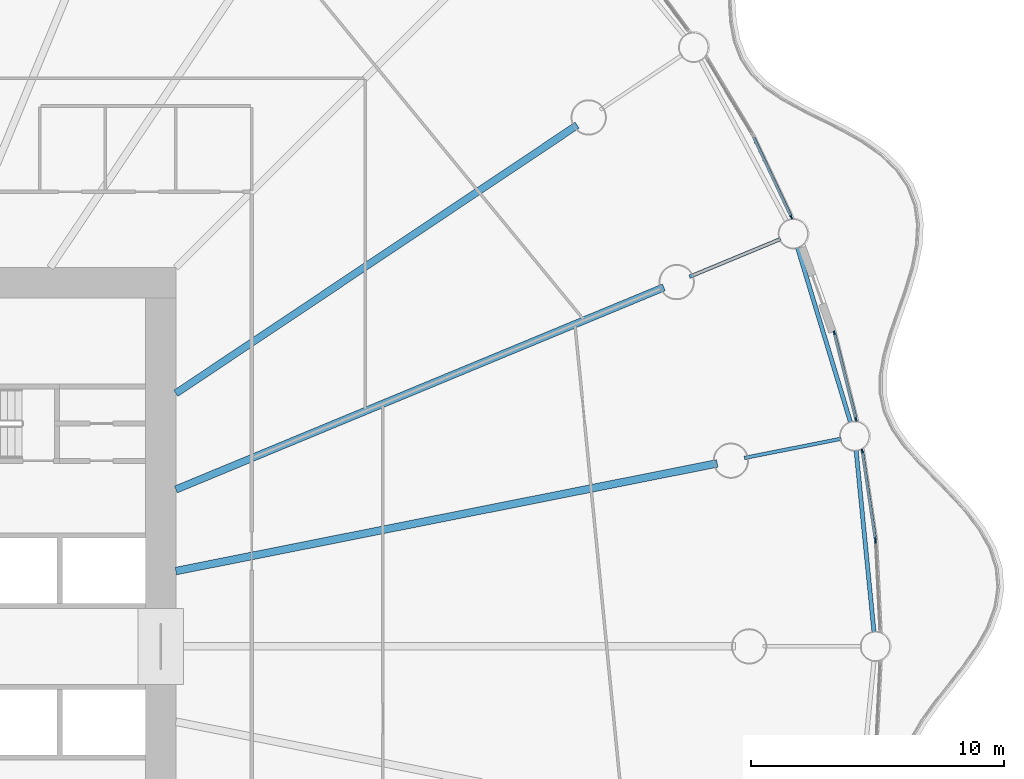
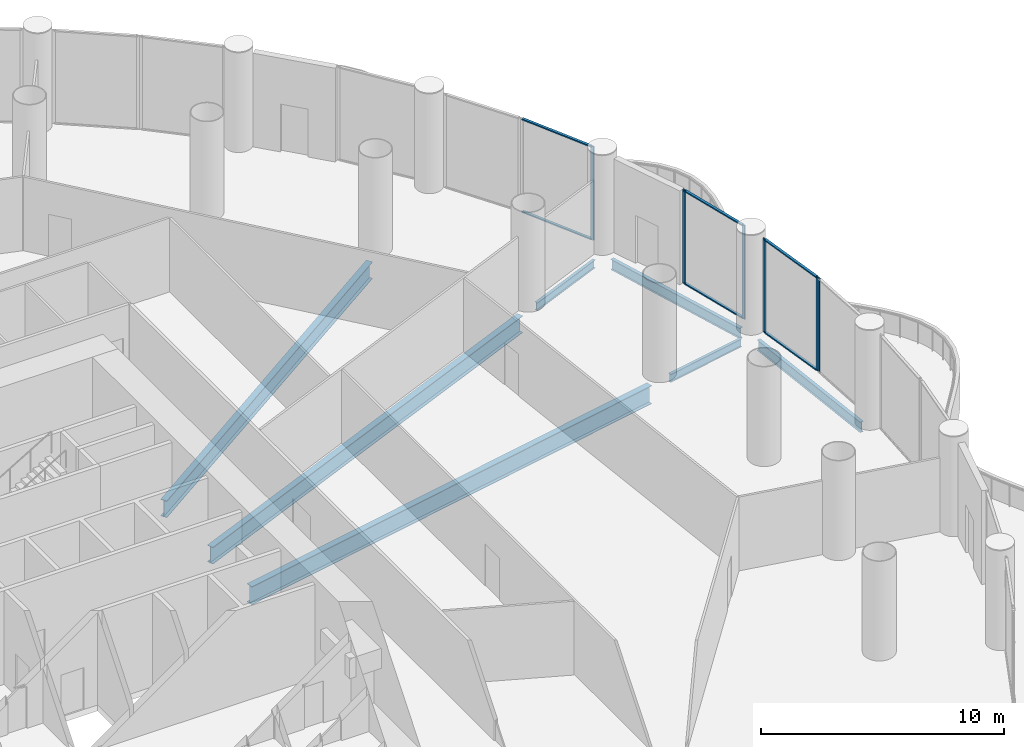
# One storey, part 13 of 38: 12 members, 7 beams, 4 elements without a shape of their own.
"""IFC4 building model written with IfcOpenShell, lengths in metres."""

from ifc_helpers import new_model, si_unit, direction, frame, origin, origin_2d, place, context, subcontext, project, spatial, rectangle, i_section, extrude, material, material_profile, profile_set, type_object, element, aggregate, save


model = new_model("IFC4")

# Units and contexts
model_context = context("Model", 3, precision=1e-05, world=origin(), true_north=direction((0.0, 1.0)))
body_context = subcontext(model_context, "Body", "Model", "MODEL_VIEW")
ifc_project = project(units=[si_unit("LENGTHUNIT", "METRE"), si_unit("AREAUNIT", "SQUARE_METRE"), si_unit("VOLUMEUNIT", "CUBIC_METRE"), si_unit("PLANEANGLEUNIT", "RADIAN"), si_unit("MASSUNIT", "GRAM", prefix="KILO")], contexts=[model_context])

# Site, building, storey
site_placement = place(None, origin())
site = spatial("IfcSite", under=ifc_project, at=site_placement, CompositionType="ELEMENT")
building_placement = place(site_placement, origin())
building = spatial("IfcBuilding", under=site, at=building_placement, Name="Corvane Civic Tower", CompositionType="ELEMENT")
storey_placement = place(building_placement, frame((0.0, 0.0, 32.0)))
storey = spatial("IfcBuildingStorey", under=building, at=storey_placement, Name="L06", CompositionType="ELEMENT", Elevation=32.0)

# Beams
ifc_material_1 = material(Name="Steel ASTM A992 Gr 50", Category="steel")
ifc_material_profile_1 = material_profile(ifc_material_1, i_section(OverallWidth=0.165771484375, OverallDepth=0.5283203125, WebThickness=0.009765625, FlangeThickness=0.013671875, at=origin_2d()), Name="W21X50")
ifc_profile_set_1 = profile_set([ifc_material_profile_1], Name="Steel ASTM A992 Gr 50")
beam_type_1 = type_object("IfcBeamType", Name="EDGE BEAM W21X50", PredefinedType="BEAM", material=ifc_profile_set_1)
for number, where, z_axis, x_axis, name in (
    (1, (39.609375, 15.814208984375, -0.564208984375), (0.290291633127, -0.956938225664, 0.0), (0.956938225664, 0.290291633127, 0.0), "BM-L06-E07"),
    (2, (41.93359375, 7.782958984375, -0.564208984375), (0.097984225478, -0.995187967953, 0.0), (0.995187967953, 0.097984225478, 0.0), "BM-L06-E08"),
):
    element("IfcBeam", number, at=place(storey_placement, frame(where, z_axis=z_axis, x_axis=x_axis)), inside=storey, type_object=beam_type_1, Name=name, PredefinedType="BEAM", context=body_context, shape_type="SweptSolid", body=[
        extrude(i_section(OverallWidth=0.165771484375, OverallDepth=0.5283203125, WebThickness=0.009765625, FlangeThickness=0.013671875, at=origin_2d()), origin(), (0.0, 0.0, 1.0), 7.2705078125),
    ])
ifc_material_2 = material(Name="Steel ASTM A992 Gr 50", Category="steel")
ifc_material_profile_2 = material_profile(ifc_material_2, i_section(OverallWidth=0.140380859375, OverallDepth=0.40380859375, WebThickness=0.007080078125, FlangeThickness=0.01123046875, at=origin_2d()), Name="W16X31")
ifc_profile_set_2 = profile_set([ifc_material_profile_2], Name="Steel ASTM A992 Gr 50")
beam_type_2 = type_object("IfcBeamType", Name="FLOOR GIRDER W16X31", PredefinedType="BEAM", material=ifc_profile_set_2)
for number, where, z_axis, x_axis, name in (
    (3, (35.33837890625, 14.6376953125, -0.501953125), (0.923878730261, 0.382685369162, 0.0), (-0.382685369162, 0.923878730261, 0.0), "BM-L06-G07b"),
    (4, (37.51513671875, 7.462158203125, -0.501953125), (0.980777614264, 0.195128858343, 0.0), (-0.195128858343, 0.980777614264, 0.0), "BM-L06-G08b"),
):
    element("IfcBeam", number, at=place(storey_placement, frame(where, z_axis=z_axis, x_axis=x_axis)), inside=storey, type_object=beam_type_2, Name=name, PredefinedType="BEAM", context=body_context, shape_type="SweptSolid", body=[
        extrude(i_section(OverallWidth=0.140380859375, OverallDepth=0.40380859375, WebThickness=0.007080078125, FlangeThickness=0.01123046875, at=origin_2d()), origin(), (0.0, 0.0, 1.0), 3.89990234375),
    ])
ifc_material_3 = material(Name="Steel ASTM A992 Gr 50", Category="steel")
ifc_material_profile_3 = material_profile(ifc_material_3, i_section(OverallWidth=0.2919921875, OverallDepth=0.845703125, WebThickness=0.015380859375, FlangeThickness=0.0244140625, at=origin_2d()), Name="W33X141")
ifc_profile_set_3 = profile_set([ifc_material_profile_3], Name="Steel ASTM A992 Gr 50")
beam_type_3 = type_object("IfcBeamType", Name="FLOOR GIRDER W33X141", PredefinedType="BEAM", material=ifc_profile_set_3)
beam_1_placement = place(storey_placement, frame((15.0, 10.022705078125, -0.722900390625), z_axis=(0.831471985418, 0.555566681385, 0.0), x_axis=(-0.555566681385, 0.831471985418, 0.0)))
element("IfcBeam", 5, at=beam_1_placement, inside=storey, type_object=beam_type_3, Name="BM-L06-G06", PredefinedType="BEAM", context=body_context, shape_type="SweptSolid", body=[
    extrude(i_section(OverallWidth=0.2919921875, OverallDepth=0.845703125, WebThickness=0.015380859375, FlangeThickness=0.0244140625, at=origin_2d()), origin(), (0.0, 0.0, 1.0), 19.109619140625),
])
beam_2_placement = place(storey_placement, frame((15.0, 6.213134765625, -0.722900390625), z_axis=(0.923875834355, 0.382692360381, 0.0), x_axis=(-0.382692360381, 0.923875834355, 0.0)))
element("IfcBeam", 6, at=beam_2_placement, inside=storey, type_object=beam_type_3, Name="BM-L06-G07", PredefinedType="BEAM", context=body_context, shape_type="SweptSolid", body=[
    extrude(i_section(OverallWidth=0.2919921875, OverallDepth=0.845703125, WebThickness=0.015380859375, FlangeThickness=0.0244140625, at=origin_2d()), origin(), (0.0, 0.0, 1.0), 20.9140625),
])
ifc_material_4 = material(Name="Steel ASTM A992 Gr 50", Category="steel")
ifc_material_profile_4 = material_profile(ifc_material_4, i_section(OverallWidth=0.3046875, OverallDepth=0.911865234375, WebThickness=0.015869140625, FlangeThickness=0.02392578125, at=origin_2d()), Name="W36X150")
ifc_profile_set_4 = profile_set([ifc_material_profile_4], Name="Steel ASTM A992 Gr 50")
beam_type_4 = type_object("IfcBeamType", Name="FLOOR GIRDER W36X150", PredefinedType="BEAM", material=ifc_profile_set_4)
beam_3_placement = place(storey_placement, frame((15.0, 2.983642578125, -0.755859375), z_axis=(0.980785499679, 0.195089219638, 0.0), x_axis=(-0.195089219638, 0.980785499679, 0.0)))
element("IfcBeam", 7, at=beam_3_placement, inside=storey, type_object=beam_type_4, Name="BM-L06-G08", PredefinedType="BEAM", context=body_context, shape_type="SweptSolid", body=[
    extrude(i_section(OverallWidth=0.3046875, OverallDepth=0.911865234375, WebThickness=0.015869140625, FlangeThickness=0.02392578125, at=origin_2d()), origin(), (0.0, 0.0, 1.0), 21.856201171875),
])

# Curtain wall, member
ifc_material_5 = material(Name="Aluminium and glass", Category="aluminium")
curtain_wall_type = type_object("IfcCurtainWallType", Name="PODIUM-CW-P-RUN", PredefinedType="NOTDEFINED", material=ifc_material_5)
curtain_wall_1_placement = place(storey_placement, origin())
curtain_wall_1 = element("IfcCurtainWall", 8, at=curtain_wall_1_placement, inside=storey, type_object=curtain_wall_type, Name="PODI run L06-drum-06B", PredefinedType="NOTDEFINED")
ifc_material_6 = material(Name="Anodised aluminium bronze", Category="aluminium")
ifc_material_profile_5 = material_profile(ifc_material_6, rectangle(XDim=0.06005859375, YDim=0.159912109375, at=origin_2d()), Name="AL 60x160")
ifc_profile_set_5 = profile_set([ifc_material_profile_5], Name="Anodised aluminium bronze")
member_type_1 = type_object("IfcMemberType", Name="PODIUM-CWP-MULLION-60x160", PredefinedType="MULLION", material=ifc_profile_set_5)
member_1_placement = place(storey_placement, frame((39.36767578125, 17.00439453125, 0.0), z_axis=(0.0, 0.0, 1.0), x_axis=(0.903990222454, 0.42755312852, 0.0)))
member_1 = element("IfcMember", 9, at=member_1_placement, type_object=member_type_1, Name="CW-P mullion 2", PredefinedType="MULLION", context=body_context, shape_type="SweptSolid", body=[
    extrude(rectangle(XDim=0.06005859375, YDim=0.159912109375, at=origin_2d()), origin(), (0.0, 0.0, 1.0), 4.699951171875),
])

# Curtain wall, members
curtain_wall_2_placement = place(storey_placement, origin())
curtain_wall_2 = element("IfcCurtainWall", 10, at=curtain_wall_2_placement, inside=storey, type_object=curtain_wall_type, Name="PODI run L06-drum-07B", PredefinedType="NOTDEFINED")
member_2_placement = place(storey_placement, frame((41.0732421875, 12.411865234375, 0.0), z_axis=(0.0, 0.0, 1.0), x_axis=(0.970024070659, 0.243008852393, 0.0)))
member_2 = element("IfcMember", 11, at=member_2_placement, type_object=member_type_1, Name="CW-P mullion 1", PredefinedType="MULLION", context=body_context, shape_type="SweptSolid", body=[
    extrude(rectangle(XDim=0.06005859375, YDim=0.159912109375, at=origin_2d()), origin(), (0.0, 0.0, 1.0), 4.699951171875),
])
member_3_placement = place(storey_placement, frame((41.9287109375, 8.99755859375, 0.0), z_axis=(0.0, 0.0, 1.0), x_axis=(0.970024070659, 0.243008852393, 0.0)))
member_3 = element("IfcMember", 12, at=member_3_placement, type_object=member_type_1, Name="CW-P mullion 2", PredefinedType="MULLION", context=body_context, shape_type="SweptSolid", body=[
    extrude(rectangle(XDim=0.06005859375, YDim=0.159912109375, at=origin_2d()), origin(), (0.0, 0.0, 1.0), 4.699951171875),
])

curtain_wall_3_placement = place(storey_placement, origin())
curtain_wall_3 = element("IfcCurtainWall", 13, at=curtain_wall_3_placement, inside=storey, type_object=curtain_wall_type, Name="PODI run L06-drum-08A", PredefinedType="NOTDEFINED")
member_4_placement = place(storey_placement, frame((42.18017578125, 7.732666015625, 0.0), z_axis=(0.0, 0.0, 1.0), x_axis=(0.989178850608, 0.146714694252, 0.0)))
member_4 = element("IfcMember", 14, at=member_4_placement, type_object=member_type_1, Name="CW-P mullion 1", PredefinedType="MULLION", context=body_context, shape_type="SweptSolid", body=[
    extrude(rectangle(XDim=0.06005859375, YDim=0.159912109375, at=origin_2d()), origin(), (0.0, 0.0, 1.0), 4.699951171875),
])
member_5_placement = place(storey_placement, frame((42.696533203125, 4.2509765625, 0.0), z_axis=(0.0, 0.0, 1.0), x_axis=(0.989178850608, 0.146714694252, 0.0)))
member_5 = element("IfcMember", 15, at=member_5_placement, type_object=member_type_1, Name="CW-P mullion 2", PredefinedType="MULLION", context=body_context, shape_type="SweptSolid", body=[
    extrude(rectangle(XDim=0.06005859375, YDim=0.159912109375, at=origin_2d()), origin(), (0.0, 0.0, 1.0), 4.699951171875),
])

# Curtain wall, member
curtain_wall_4_placement = place(storey_placement, origin())
curtain_wall_4 = element("IfcCurtainWall", 16, at=curtain_wall_4_placement, inside=storey, type_object=curtain_wall_type, Name="PODI run L06-drum-08B", PredefinedType="NOTDEFINED")
member_6_placement = place(storey_placement, frame((42.70556640625, 4.16064453125, 0.0), z_axis=(0.0, 0.0, 1.0), x_axis=(0.998796316803, 0.04905015332, 0.0)))
member_6 = element("IfcMember", 17, at=member_6_placement, type_object=member_type_1, Name="CW-P mullion 1", PredefinedType="MULLION", context=body_context, shape_type="SweptSolid", body=[
    extrude(rectangle(XDim=0.06005859375, YDim=0.159912109375, at=origin_2d()), origin(), (0.0, 0.0, 1.0), 4.699951171875),
])
aggregate(curtain_wall_4, [member_6])

# Member
ifc_material_7 = material(Name="Anodised aluminium bronze", Category="aluminium")
ifc_material_profile_6 = material_profile(ifc_material_7, rectangle(XDim=0.1201171875, YDim=0.06005859375, at=origin_2d()), Name="AL 120x60")
ifc_profile_set_6 = profile_set([ifc_material_profile_6], Name="Anodised aluminium bronze")
member_type_2 = type_object("IfcMemberType", Name="PODIUM-CWP-TRANSOM-60x120", PredefinedType="USERDEFINED", material=ifc_profile_set_6)
member_7_placement = place(storey_placement, frame((37.87548828125, 20.1591796875, 0.030029296875), z_axis=(0.427546343166, -0.903993431638, 0.0), x_axis=(0.903993431638, 0.427546343166, 0.0)))
member_7 = element("IfcMember", 18, at=member_7_placement, type_object=member_type_2, Name="CW-P transom 1.1", ObjectType="TRANSOM", PredefinedType="USERDEFINED", context=body_context, shape_type="SweptSolid", body=[
    extrude(rectangle(XDim=0.1201171875, YDim=0.06005859375, at=origin_2d()), origin(), (0.0, 0.0, 1.0), 3.4599609375),
])

member_8_placement = place(storey_placement, frame((37.87548828125, 20.1591796875, 4.669921875), z_axis=(0.427546343166, -0.903993431638, 0.0), x_axis=(0.903993431638, 0.427546343166, 0.0)))
member_8 = element("IfcMember", 19, at=member_8_placement, type_object=member_type_2, Name="CW-P transom 1.2", ObjectType="TRANSOM", PredefinedType="USERDEFINED", context=body_context, shape_type="SweptSolid", body=[
    extrude(rectangle(XDim=0.1201171875, YDim=0.06005859375, at=origin_2d()), origin(), (0.0, 0.0, 1.0), 3.4599609375),
])

aggregate(curtain_wall_1, [member_1, member_7, member_8])

member_9_placement = place(storey_placement, frame((41.08056640625, 12.3828125, 0.030029296875), z_axis=(0.243017080124, -0.970022009425, 0.0), x_axis=(0.970022009425, 0.243017080124, 0.0)))
member_9 = element("IfcMember", 20, at=member_9_placement, type_object=member_type_2, Name="CW-P transom 1.1", ObjectType="TRANSOM", PredefinedType="USERDEFINED", context=body_context, shape_type="SweptSolid", body=[
    extrude(rectangle(XDim=0.1201171875, YDim=0.06005859375, at=origin_2d()), origin(), (0.0, 0.0, 1.0), 3.4599609375),
])

member_10_placement = place(storey_placement, frame((41.08056640625, 12.3828125, 4.669921875), z_axis=(0.243017080124, -0.970022009425, 0.0), x_axis=(0.970022009425, 0.243017080124, 0.0)))
member_10 = element("IfcMember", 21, at=member_10_placement, type_object=member_type_2, Name="CW-P transom 1.2", ObjectType="TRANSOM", PredefinedType="USERDEFINED", context=body_context, shape_type="SweptSolid", body=[
    extrude(rectangle(XDim=0.1201171875, YDim=0.06005859375, at=origin_2d()), origin(), (0.0, 0.0, 1.0), 3.4599609375),
])

aggregate(curtain_wall_2, [member_2, member_3, member_9, member_10])

member_11_placement = place(storey_placement, frame((42.1845703125, 7.703125, 0.030029296875), z_axis=(0.146704660039, -0.989180338828, 0.0), x_axis=(0.989180338828, 0.146704660039, 0.0)))
member_11 = element("IfcMember", 22, at=member_11_placement, type_object=member_type_2, Name="CW-P transom 1.1", ObjectType="TRANSOM", PredefinedType="USERDEFINED", context=body_context, shape_type="SweptSolid", body=[
    extrude(rectangle(XDim=0.1201171875, YDim=0.06005859375, at=origin_2d()), origin(), (0.0, 0.0, 1.0), 3.459716796875),
])

member_12_placement = place(storey_placement, frame((42.1845703125, 7.703125, 4.669921875), z_axis=(0.146704660039, -0.989180338828, 0.0), x_axis=(0.989180338828, 0.146704660039, 0.0)))
member_12 = element("IfcMember", 23, at=member_12_placement, type_object=member_type_2, Name="CW-P transom 1.2", ObjectType="TRANSOM", PredefinedType="USERDEFINED", context=body_context, shape_type="SweptSolid", body=[
    extrude(rectangle(XDim=0.1201171875, YDim=0.06005859375, at=origin_2d()), origin(), (0.0, 0.0, 1.0), 3.459716796875),
])

aggregate(curtain_wall_3, [member_4, member_5, member_11, member_12])

save(model, "model.ifc")
